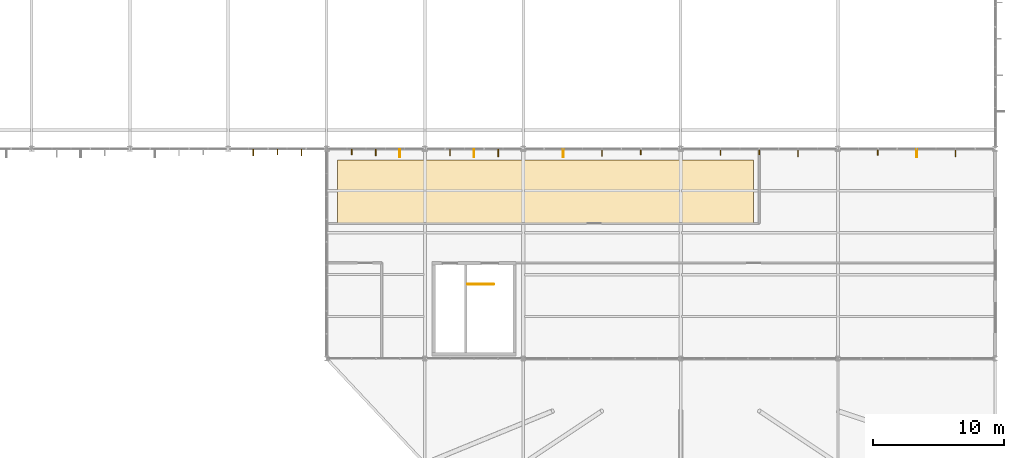
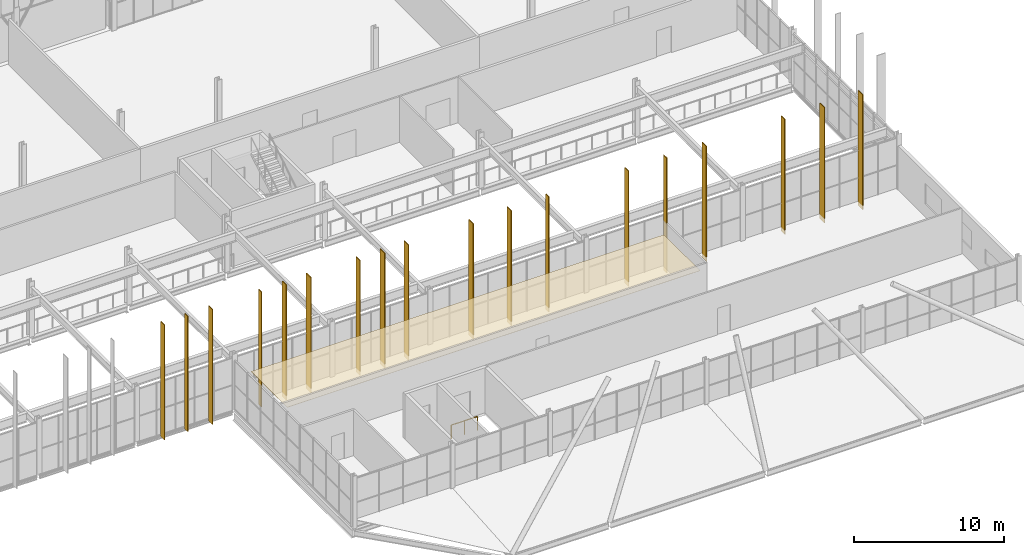
# One storey, part 322 of 324: 19 coverings, 1 railing.
"""IFC4 building model written with IfcOpenShell, lengths in metres."""

from ifc_helpers import new_model, si_unit, direction, frame, origin, origin_2d, place, context, subcontext, project, spatial, polyline, rectangle, circle, outline, extrude, material, layer, layer_set, type_object, element, save


model = new_model("IFC4")

# Units and contexts
model_context = context("Model", 3, precision=1e-05, world=origin(), true_north=direction((0.0, 1.0)))
body_context = subcontext(model_context, "Body", "Model", "MODEL_VIEW")
ifc_project = project(units=[si_unit("LENGTHUNIT", "METRE"), si_unit("AREAUNIT", "SQUARE_METRE"), si_unit("VOLUMEUNIT", "CUBIC_METRE"), si_unit("PLANEANGLEUNIT", "RADIAN"), si_unit("MASSUNIT", "GRAM", prefix="KILO")], contexts=[model_context])

# Site, building, storey
site_placement = place(None, origin())
site = spatial("IfcSite", under=ifc_project, at=site_placement, CompositionType="ELEMENT")
building_placement = place(site_placement, origin())
building = spatial("IfcBuilding", under=site, at=building_placement, Name="Solvenia Promenade Tram Depot", CompositionType="ELEMENT")
storey_placement = place(building_placement, frame((0.0, 0.0, 4.5)))
storey = spatial("IfcBuildingStorey", under=building, at=storey_placement, Name="L01", CompositionType="ELEMENT", Elevation=4.5)

# Coverings
ifc_material_1 = material(Name="Mineral-fibre acoustic ceiling tile", Category="other")
ifc_layer_1 = layer(ifc_material_1, 0.02001953125, Name="Mineral-fibre acoustic ceiling tile", Category="other")
ifc_layer_set_1 = layer_set([ifc_layer_1], Name="Mineral-fibre acoustic ceiling tile")
covering_type_1 = type_object("IfcCoveringType", Name="Ceiling-Acoustic-20", PredefinedType="CEILING", material=ifc_layer_set_1)
covering_1_placement = place(storey_placement, frame((0.0, 0.0, 3.14990234375)))
element("IfcCovering", 1, at=covering_1_placement, inside=storey, type_object=covering_type_1, Name="Promenade Mezzanine Gallery Acoustic Ceiling", PredefinedType="CEILING", context=body_context, shape_type="SweptSolid", body=[
    extrude(outline(polyline([(135.85009765625, 18.340087890625), (167.550048828125, 18.340087890625), (167.550048828125, 23.14990234375), (135.85009765625, 23.14990234375), (135.85009765625, 18.340087890625)])), origin(), (0.0, 0.0, 1.0), 0.02001953125),
])
ifc_material_2 = material(Name="Anodized aluminium AW-6063 T6", Category="aluminium")
ifc_layer_2 = layer(ifc_material_2, 0.06005859375, Name="Anodized aluminium AW-6063 T6", Category="aluminium")
ifc_layer_set_2 = layer_set([ifc_layer_2], Name="Anodized aluminium AW-6063 T6")
covering_type_2 = type_object("IfcCoveringType", Name="Fin-Param-560", PredefinedType="CLADDING", material=ifc_layer_set_2)
covering_2_placement = place(storey_placement, frame((129.4150390625, 23.728515625, -0.35009765625), z_axis=(0.0, 0.0, 1.0), x_axis=(1.0, 0.0, 0.0)))
element("IfcCovering", 2, at=covering_2_placement, inside=storey, type_object=covering_type_2, Name="Parametric Vertical Brise-Soleil Fin 191", PredefinedType="CLADDING", context=body_context, shape_type="SweptSolid", body=[
    extrude(rectangle(XDim=0.06005859375, YDim=0.492919921875, at=origin_2d()), origin(), (0.0, 0.0, 1.0), 9.35009765625),
])
covering_3_placement = place(storey_placement, frame((131.25, 23.764404296875, -0.35009765625), z_axis=(0.0, 0.0, 1.0), x_axis=(1.0, 0.0, 0.0)))
element("IfcCovering", 3, at=covering_3_placement, inside=storey, type_object=covering_type_2, Name="Parametric Vertical Brise-Soleil Fin 192", PredefinedType="CLADDING", context=body_context, shape_type="SweptSolid", body=[
    extrude(rectangle(XDim=0.06005859375, YDim=0.4208984375, at=origin_2d()), origin(), (0.0, 0.0, 1.0), 9.35009765625),
])
covering_4_placement = place(storey_placement, frame((133.0849609375, 23.717529296875, -0.35009765625), z_axis=(0.0, 0.0, 1.0), x_axis=(1.0, 0.0, 0.0)))
element("IfcCovering", 4, at=covering_4_placement, inside=storey, type_object=covering_type_2, Name="Parametric Vertical Brise-Soleil Fin 193", PredefinedType="CLADDING", context=body_context, shape_type="SweptSolid", body=[
    extrude(rectangle(XDim=0.06005859375, YDim=0.514892578125, at=origin_2d()), origin(), (0.0, 0.0, 1.0), 9.35009765625),
])
covering_5_placement = place(storey_placement, frame((136.9150390625, 23.764404296875, -0.35009765625), z_axis=(0.0, 0.0, 1.0), x_axis=(1.0, 0.0, 0.0)))
element("IfcCovering", 5, at=covering_5_placement, inside=storey, type_object=covering_type_2, Name="Parametric Vertical Brise-Soleil Fin 194", PredefinedType="CLADDING", context=body_context, shape_type="SweptSolid", body=[
    extrude(rectangle(XDim=0.06005859375, YDim=0.4208984375, at=origin_2d()), origin(), (0.0, 0.0, 1.0), 9.35009765625),
])
covering_6_placement = place(storey_placement, frame((138.75, 23.716552734375, -0.35009765625), z_axis=(0.0, 0.0, 1.0), x_axis=(1.0, 0.0, 0.0)))
element("IfcCovering", 6, at=covering_6_placement, inside=storey, type_object=covering_type_2, Name="Parametric Vertical Brise-Soleil Fin 195", PredefinedType="CLADDING", context=body_context, shape_type="SweptSolid", body=[
    extrude(rectangle(XDim=0.06005859375, YDim=0.51708984375, at=origin_2d()), origin(), (0.0, 0.0, 1.0), 9.35009765625),
])
covering_7_placement = place(storey_placement, frame((140.5849609375, 23.658447265625, -0.35009765625), z_axis=(0.0, 0.0, 1.0), x_axis=(1.0, 0.0, 0.0)))
element("IfcCovering", 7, at=covering_7_placement, inside=storey, type_object=covering_type_2, Name="Parametric Vertical Brise-Soleil Fin 196", PredefinedType="CLADDING", context=body_context, shape_type="SweptSolid", body=[
    extrude(rectangle(XDim=0.06005859375, YDim=0.633056640625, at=origin_2d()), origin(), (0.0, 0.0, 1.0), 9.35009765625),
])
covering_8_placement = place(storey_placement, frame((144.4150390625, 23.715576171875, -0.35009765625), z_axis=(0.0, 0.0, 1.0), x_axis=(1.0, 0.0, 0.0)))
element("IfcCovering", 8, at=covering_8_placement, inside=storey, type_object=covering_type_2, Name="Parametric Vertical Brise-Soleil Fin 197", PredefinedType="CLADDING", context=body_context, shape_type="SweptSolid", body=[
    extrude(rectangle(XDim=0.06005859375, YDim=0.51904296875, at=origin_2d()), origin(), (0.0, 0.0, 1.0), 9.35009765625),
])
covering_9_placement = place(storey_placement, frame((146.25, 23.657958984375, -0.35009765625), z_axis=(0.0, 0.0, 1.0), x_axis=(1.0, 0.0, 0.0)))
element("IfcCovering", 9, at=covering_9_placement, inside=storey, type_object=covering_type_2, Name="Parametric Vertical Brise-Soleil Fin 198", PredefinedType="CLADDING", context=body_context, shape_type="SweptSolid", body=[
    extrude(rectangle(XDim=0.06005859375, YDim=0.634033203125, at=origin_2d()), origin(), (0.0, 0.0, 1.0), 9.35009765625),
])
covering_10_placement = place(storey_placement, frame((148.0849609375, 23.679931640625, -0.35009765625), z_axis=(0.0, 0.0, 1.0), x_axis=(1.0, 0.0, 0.0)))
element("IfcCovering", 10, at=covering_10_placement, inside=storey, type_object=covering_type_2, Name="Parametric Vertical Brise-Soleil Fin 199", PredefinedType="CLADDING", context=body_context, shape_type="SweptSolid", body=[
    extrude(rectangle(XDim=0.06005859375, YDim=0.590087890625, at=origin_2d()), origin(), (0.0, 0.0, 1.0), 9.35009765625),
])
covering_11_placement = place(storey_placement, frame((153.0400390625, 23.655517578125, -0.35009765625), z_axis=(0.0, 0.0, 1.0), x_axis=(1.0, 0.0, 0.0)))
element("IfcCovering", 11, at=covering_11_placement, inside=storey, type_object=covering_type_2, Name="Parametric Vertical Brise-Soleil Fin 200", PredefinedType="CLADDING", context=body_context, shape_type="SweptSolid", body=[
    extrude(rectangle(XDim=0.06005859375, YDim=0.638916015625, at=origin_2d()), origin(), (0.0, 0.0, 1.0), 9.35009765625),
])
covering_12_placement = place(storey_placement, frame((156.0, 23.701416015625, -0.35009765625), z_axis=(0.0, 0.0, 1.0), x_axis=(1.0, 0.0, 0.0)))
element("IfcCovering", 12, at=covering_12_placement, inside=storey, type_object=covering_type_2, Name="Parametric Vertical Brise-Soleil Fin 201", PredefinedType="CLADDING", context=body_context, shape_type="SweptSolid", body=[
    extrude(rectangle(XDim=0.06005859375, YDim=0.547119140625, at=origin_2d()), origin(), (0.0, 0.0, 1.0), 9.35009765625),
])
covering_13_placement = place(storey_placement, frame((158.9599609375, 23.763916015625, -0.35009765625), z_axis=(0.0, 0.0, 1.0), x_axis=(1.0, 0.0, 0.0)))
element("IfcCovering", 13, at=covering_13_placement, inside=storey, type_object=covering_type_2, Name="Parametric Vertical Brise-Soleil Fin 202", PredefinedType="CLADDING", context=body_context, shape_type="SweptSolid", body=[
    extrude(rectangle(XDim=0.06005859375, YDim=0.422119140625, at=origin_2d()), origin(), (0.0, 0.0, 1.0), 9.35009765625),
])
covering_14_placement = place(storey_placement, frame((165.0400390625, 23.735107421875, -0.35009765625), z_axis=(0.0, 0.0, 1.0), x_axis=(1.0, 0.0, 0.0)))
element("IfcCovering", 14, at=covering_14_placement, inside=storey, type_object=covering_type_2, Name="Parametric Vertical Brise-Soleil Fin 203", PredefinedType="CLADDING", context=body_context, shape_type="SweptSolid", body=[
    extrude(rectangle(XDim=0.06005859375, YDim=0.47998046875, at=origin_2d()), origin(), (0.0, 0.0, 1.0), 9.35009765625),
])
covering_15_placement = place(storey_placement, frame((168.0, 23.760009765625, -0.35009765625), z_axis=(0.0, 0.0, 1.0), x_axis=(1.0, 0.0, 0.0)))
element("IfcCovering", 15, at=covering_15_placement, inside=storey, type_object=covering_type_2, Name="Parametric Vertical Brise-Soleil Fin 204", PredefinedType="CLADDING", context=body_context, shape_type="SweptSolid", body=[
    extrude(rectangle(XDim=0.06005859375, YDim=0.429931640625, at=origin_2d()), origin(), (0.0, 0.0, 1.0), 9.35009765625),
])
covering_16_placement = place(storey_placement, frame((170.9599609375, 23.68896484375, -0.35009765625), z_axis=(0.0, 0.0, 1.0), x_axis=(1.0, 0.0, 0.0)))
element("IfcCovering", 16, at=covering_16_placement, inside=storey, type_object=covering_type_2, Name="Parametric Vertical Brise-Soleil Fin 205", PredefinedType="CLADDING", context=body_context, shape_type="SweptSolid", body=[
    extrude(rectangle(XDim=0.06005859375, YDim=0.572021484375, at=origin_2d()), origin(), (0.0, 0.0, 1.0), 9.35009765625),
])
covering_17_placement = place(storey_placement, frame((177.0400390625, 23.737060546875, -0.35009765625), z_axis=(0.0, 0.0, 1.0), x_axis=(1.0, 0.0, 0.0)))
element("IfcCovering", 17, at=covering_17_placement, inside=storey, type_object=covering_type_2, Name="Parametric Vertical Brise-Soleil Fin 206", PredefinedType="CLADDING", context=body_context, shape_type="SweptSolid", body=[
    extrude(rectangle(XDim=0.06005859375, YDim=0.47607421875, at=origin_2d()), origin(), (0.0, 0.0, 1.0), 9.35009765625),
])
covering_18_placement = place(storey_placement, frame((180.0, 23.6630859375, -0.35009765625), z_axis=(0.0, 0.0, 1.0), x_axis=(1.0, 0.0, 0.0)))
element("IfcCovering", 18, at=covering_18_placement, inside=storey, type_object=covering_type_2, Name="Parametric Vertical Brise-Soleil Fin 207", PredefinedType="CLADDING", context=body_context, shape_type="SweptSolid", body=[
    extrude(rectangle(XDim=0.06005859375, YDim=0.6240234375, at=origin_2d()), origin(), (0.0, 0.0, 1.0), 9.35009765625),
])
covering_19_placement = place(storey_placement, frame((182.9599609375, 23.679443359375, -0.35009765625), z_axis=(0.0, 0.0, 1.0), x_axis=(1.0, 0.0, 0.0)))
element("IfcCovering", 19, at=covering_19_placement, inside=storey, type_object=covering_type_2, Name="Parametric Vertical Brise-Soleil Fin 208", PredefinedType="CLADDING", context=body_context, shape_type="SweptSolid", body=[
    extrude(rectangle(XDim=0.06005859375, YDim=0.591064453125, at=origin_2d()), origin(), (0.0, 0.0, 1.0), 9.35009765625),
])

# Railing
railing_type = type_object("IfcRailingType", Name="Guard-Stair-1100", PredefinedType="GUARDRAIL", material=ifc_material_2)
railing_placement = place(storey_placement, frame((145.75, 13.669921875, 0.0)))
element("IfcRailing", 20, at=railing_placement, inside=storey, type_object=railing_type, Name="Top Stairwell Guard C8", PredefinedType="GUARDRAIL", context=body_context, shape_type="SweptSolid", body=[
    extrude(circle(Radius=0.02392578125, at=origin_2d()), frame((0.0, 0.0, 1.09619140625), z_axis=(1.0, 0.0, 0.0), x_axis=(0.0, 1.0, 0.0)), (0.0, 0.0, 1.0), 2.0),
    extrude(circle(Radius=0.02099609375, at=origin_2d()), origin(), (0.0, 0.0, 1.0), 1.072021484375),
    extrude(circle(Radius=0.02099609375, at=origin_2d()), frame((1.0, 0.0, 0.0)), (0.0, 0.0, 1.0), 1.072021484375),
    extrude(circle(Radius=0.02099609375, at=origin_2d()), frame((2.0, 0.0, 0.0)), (0.0, 0.0, 1.0), 1.072021484375),
])

save(model, "model.ifc")
